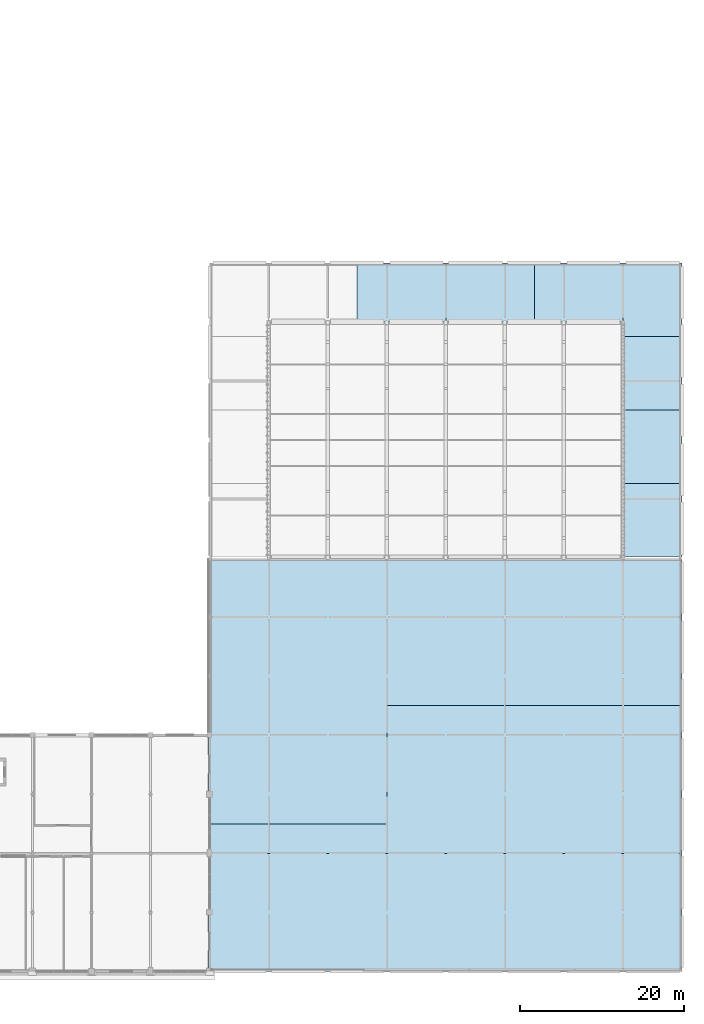
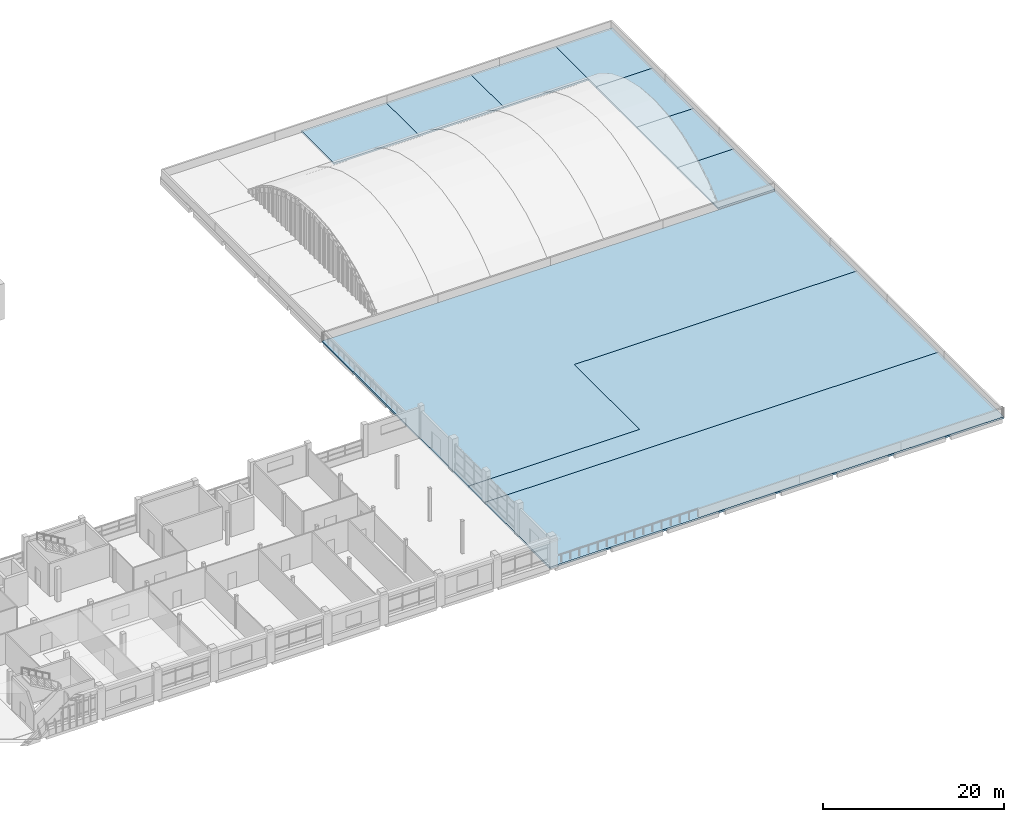
# One storey, part 36 of 71: 10 slabs.
"""IFC4 building model written with IfcOpenShell, lengths in metres."""

from ifc_helpers import new_model, si_unit, direction, frame, origin, place, context, subcontext, project, spatial, polyline, outline, extrude, material, layer, layer_set, type_object, element, save


model = new_model("IFC4")

# Units and contexts
model_context = context("Model", 3, precision=1e-05, world=origin(), true_north=direction((0.0, 1.0)))
body_context = subcontext(model_context, "Body", "Model", "MODEL_VIEW")
ifc_project = project(units=[si_unit("LENGTHUNIT", "METRE"), si_unit("AREAUNIT", "SQUARE_METRE"), si_unit("VOLUMEUNIT", "CUBIC_METRE"), si_unit("PLANEANGLEUNIT", "RADIAN"), si_unit("MASSUNIT", "GRAM", prefix="KILO")], contexts=[model_context])

# Site, building, storey
site_placement = place(None, origin())
site = spatial("IfcSite", under=ifc_project, at=site_placement, CompositionType="ELEMENT")
building_placement = place(site_placement, origin())
building = spatial("IfcBuilding", under=site, at=building_placement, Name="Sardonyx Promenade Sports Hall", CompositionType="ELEMENT")
storey_placement = place(building_placement, frame((0.0, 0.0, 16.0)))
storey = spatial("IfcBuildingStorey", under=building, at=storey_placement, Name="L03", CompositionType="ELEMENT", Elevation=16.0)

# Slabs
ifc_material_1 = material(Name="Concrete C40/50", Category="concrete")
ifc_layer_1 = layer(ifc_material_1, 0.239990234375)
ifc_layer_set_1 = layer_set([ifc_layer_1], Name="Slab_Ext_Garden_240")
slab_type_1 = type_object("IfcSlabType", Name="Slab_Ext_Garden_240", PredefinedType="ROOF", material=ifc_layer_set_1)
slab_1_placement = place(storey_placement, frame((0.0, 0.0, -0.239990234375)))
element("IfcSlab", 1, at=slab_1_placement, inside=storey, type_object=slab_type_1, Name="East wing roof garden south L03", PredefinedType="ROOF", context=body_context, shape_type="SweptSolid", body=[
    extrude(outline(polyline([(107.800048828125, 0.0), (165.60009765625, 0.0), (165.60009765625, 14.39990234375), (107.800048828125, 14.39990234375), (107.800048828125, 0.0)])), origin(), (0.0, 0.0, 1.0), 0.239990234375),
])
slab_2_placement = place(storey_placement, frame((0.0, 0.0, -0.239990234375)))
element("IfcSlab", 2, at=slab_2_placement, inside=storey, type_object=slab_type_1, Name="East wing roof garden mid L03", PredefinedType="ROOF", context=body_context, shape_type="SweptSolid", body=[
    extrude(outline(polyline([(107.800048828125, 14.39990234375), (165.60009765625, 14.39990234375), (165.60009765625, 32.39990234375), (129.60009765625, 32.39990234375), (129.60009765625, 18.0), (107.800048828125, 18.0), (107.800048828125, 14.39990234375)])), origin(), (0.0, 0.0, 1.0), 0.239990234375),
])
slab_3_placement = place(storey_placement, frame((0.0, 0.0, -0.239990234375)))
element("IfcSlab", 3, at=slab_3_placement, inside=storey, type_object=slab_type_1, Name="East wing roof garden north L03", PredefinedType="ROOF", context=body_context, shape_type="SweptSolid", body=[
    extrude(outline(polyline([(107.800048828125, 18.0), (129.60009765625, 18.0), (129.60009765625, 32.39990234375), (165.60009765625, 32.39990234375), (165.60009765625, 50.25), (107.800048828125, 50.25), (107.800048828125, 18.0)])), origin(), (0.0, 0.0, 1.0), 0.239990234375),
])
ifc_material_2 = material(Name="Concrete C40/50", Category="concrete")
ifc_layer_2 = layer(ifc_material_2, 0.22998046875)
ifc_layer_set_2 = layer_set([ifc_layer_2], Name="Slab_Roof_Flat_230")
slab_type_2 = type_object("IfcSlabType", Name="Slab_Roof_Flat_230", PredefinedType="ROOF", material=ifc_layer_set_2)
slab_4_placement = place(storey_placement, frame((0.0, 0.0, -0.22998046875)))
element("IfcSlab", 4, at=slab_4_placement, inside=storey, type_object=slab_type_2, Name="Slab RS02 L03 #17", PredefinedType="ROOF", context=body_context, shape_type="SweptSolid", body=[
    extrude(outline(polyline([(158.39990234375, 50.550048828125), (165.60009765625, 50.550048828125), (165.60009765625, 59.512451171875), (158.39990234375, 59.512451171875), (158.39990234375, 50.550048828125)])), origin(), (0.0, 0.0, 1.0), 0.22998046875),
])
slab_5_placement = place(storey_placement, frame((0.0, 0.0, -0.22998046875)))
element("IfcSlab", 5, at=slab_5_placement, inside=storey, type_object=slab_type_2, Name="Slab RS02 L03 #18", PredefinedType="ROOF", context=body_context, shape_type="SweptSolid", body=[
    extrude(outline(polyline([(158.39990234375, 59.512451171875), (165.60009765625, 59.512451171875), (165.60009765625, 68.47509765625), (158.39990234375, 68.47509765625), (158.39990234375, 59.512451171875)])), origin(), (0.0, 0.0, 1.0), 0.22998046875),
])
slab_6_placement = place(storey_placement, frame((0.0, 0.0, -0.22998046875)))
element("IfcSlab", 6, at=slab_6_placement, inside=storey, type_object=slab_type_2, Name="Slab RS02 L03 #19", PredefinedType="ROOF", context=body_context, shape_type="SweptSolid", body=[
    extrude(outline(polyline([(158.39990234375, 68.47509765625), (165.60009765625, 68.47509765625), (165.60009765625, 77.4375), (158.39990234375, 77.4375), (158.39990234375, 68.47509765625)])), origin(), (0.0, 0.0, 1.0), 0.22998046875),
])
slab_7_placement = place(storey_placement, frame((0.0, 0.0, -0.22998046875)))
element("IfcSlab", 7, at=slab_7_placement, inside=storey, type_object=slab_type_2, Name="Slab RS02 L03 #20", PredefinedType="ROOF", context=body_context, shape_type="SweptSolid", body=[
    extrude(outline(polyline([(158.39990234375, 77.4375), (165.60009765625, 77.4375), (165.60009765625, 86.39990234375), (158.39990234375, 86.39990234375), (158.39990234375, 77.4375)])), origin(), (0.0, 0.0, 1.0), 0.22998046875),
])
slab_8_placement = place(storey_placement, frame((0.0, 0.0, -0.22998046875)))
element("IfcSlab", 8, at=slab_8_placement, inside=storey, type_object=slab_type_2, Name="Slab RS02 L03 #22", PredefinedType="ROOF", context=body_context, shape_type="SweptSolid", body=[
    extrude(outline(polyline([(126.0, 79.199951171875), (136.800048828125, 79.199951171875), (136.800048828125, 86.39990234375), (126.0, 86.39990234375), (126.0, 79.199951171875)])), origin(), (0.0, 0.0, 1.0), 0.22998046875),
])
slab_9_placement = place(storey_placement, frame((0.0, 0.0, -0.22998046875)))
element("IfcSlab", 9, at=slab_9_placement, inside=storey, type_object=slab_type_2, Name="Slab RS02 L03 #23", PredefinedType="ROOF", context=body_context, shape_type="SweptSolid", body=[
    extrude(outline(polyline([(136.800048828125, 79.199951171875), (147.60009765625, 79.199951171875), (147.60009765625, 86.39990234375), (136.800048828125, 86.39990234375), (136.800048828125, 79.199951171875)])), origin(), (0.0, 0.0, 1.0), 0.22998046875),
])
slab_10_placement = place(storey_placement, frame((0.0, 0.0, -0.22998046875)))
element("IfcSlab", 10, at=slab_10_placement, inside=storey, type_object=slab_type_2, Name="Slab RS02 L03 #24", PredefinedType="ROOF", context=body_context, shape_type="SweptSolid", body=[
    extrude(outline(polyline([(147.60009765625, 79.199951171875), (158.39990234375, 79.199951171875), (158.39990234375, 86.39990234375), (147.60009765625, 86.39990234375), (147.60009765625, 79.199951171875)])), origin(), (0.0, 0.0, 1.0), 0.22998046875),
])

save(model, "model.ifc")
